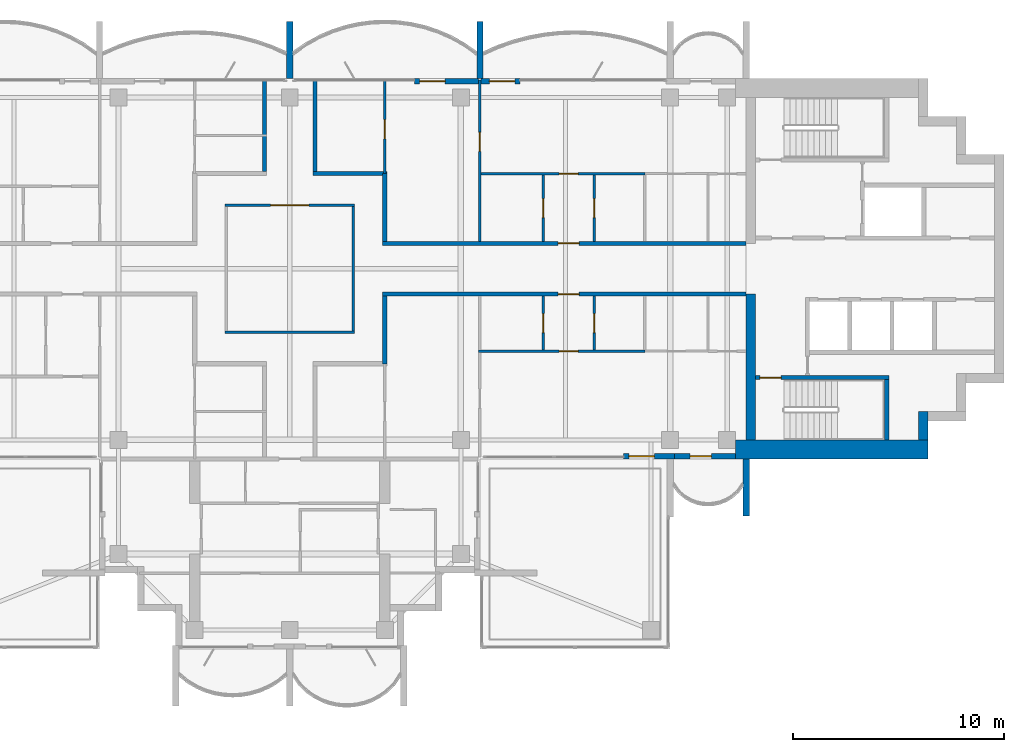
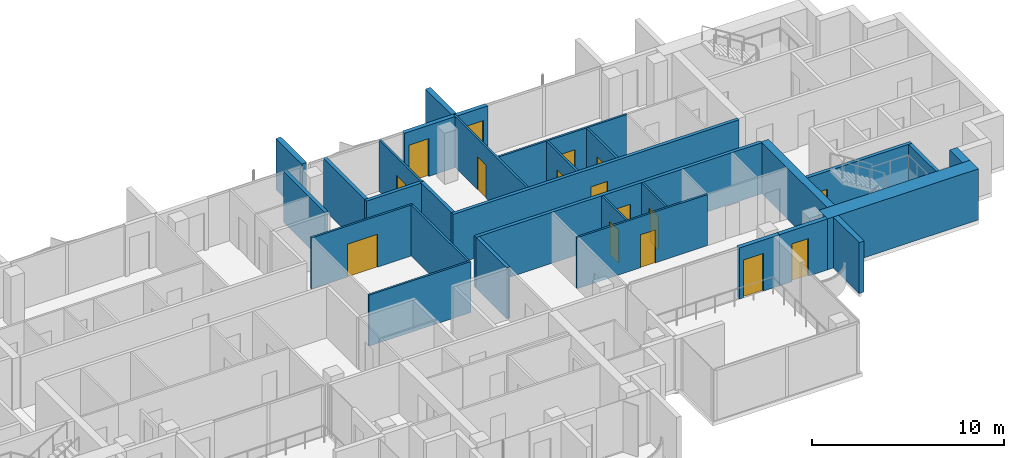
# One storey, part 10 of 16: 30 walls, 16 doors, 16 openings.
"""IFC4 building model written with IfcOpenShell, lengths in metres."""

from ifc_helpers import new_model, si_unit, direction, frame, frame_2d, origin, place, context, subcontext, project, spatial, rectangle, extrude, material, layer, layer_set, type_object, element, fill, save


model = new_model("IFC4")

# Units and contexts
model_context = context("Model", 3, precision=1e-05, world=origin(), true_north=direction((0.0, 1.0)))
body_context = subcontext(model_context, "Body", "Model", "MODEL_VIEW")
ifc_project = project(units=[si_unit("LENGTHUNIT", "METRE"), si_unit("AREAUNIT", "SQUARE_METRE"), si_unit("VOLUMEUNIT", "CUBIC_METRE"), si_unit("PLANEANGLEUNIT", "RADIAN"), si_unit("MASSUNIT", "GRAM", prefix="KILO")], contexts=[model_context])

# Site, building, storey
site_placement = place(None, origin())
site = spatial("IfcSite", under=ifc_project, at=site_placement, CompositionType="ELEMENT")
building_placement = place(site_placement, origin())
building = spatial("IfcBuilding", under=site, at=building_placement, Name="Perihelion Cross Residences", CompositionType="ELEMENT")
storey_placement = place(building_placement, frame((0.0, 0.0, 246.5)))
storey = spatial("IfcBuildingStorey", under=building, at=storey_placement, Name="L62", CompositionType="ELEMENT", Elevation=246.5)

# Wall, opening, door
ifc_material_1 = material(Name="Plasterboard partition")
ifc_layer_1 = layer(ifc_material_1, 0.199951171875)
ifc_layer_set_1 = layer_set([ifc_layer_1], Name="Apartment separation wall 200")
wall_type_1 = type_object("IfcWallType", Name="Apartment separation wall 200", PredefinedType="PARTITIONING", material=ifc_layer_set_1)
wall_1_placement = place(storey_placement, frame((4.39990234375, 1.199951171875, 0.0), z_axis=(0.0, 0.0, 1.0), x_axis=(1.0, 0.0, 0.0)))
wall_1 = element("IfcWall", 1, at=wall_1_placement, inside=storey, type_object=wall_type_1, Name="Partition L62 W005", PredefinedType="PARTITIONING", context=body_context, shape_type="SweptSolid", body=[
    extrude(rectangle(XDim=17.2001953125, YDim=0.199951171875, at=frame_2d((8.60009765625, 0.0))), origin(), (0.0, 0.0, 1.0), 3.25),
])
opening_1_placement = place(wall_1_placement, frame((8.300048828125, 0.0, 0.0)))
opening_1 = element("IfcOpeningElement", 2, at=opening_1_placement, cuts=wall_1, Name="Opening L62.A38", PredefinedType="OPENING", context=body_context, shape_type="SweptSolid", body=[
    extrude(rectangle(XDim=1.0, YDim=2.10009765625, at=frame_2d((0.5, 1.050048828125))), frame((0.0, 0.10986328125, 0.0), z_axis=(0.0, -1.0, 0.0), x_axis=(1.0, 0.0, 0.0)), (0.0, 0.0, 1.0), 0.219970703125),
])
ifc_material_2 = material(Name="Timber door leaf", Category="wood")
door_type_1 = type_object("IfcDoorType", Name="Flat entrance door 1000 x 2100", OperationType="SINGLE_SWING_LEFT", PredefinedType="DOOR", material=ifc_material_2)
door_1_placement = place(opening_1_placement, origin())
door_1 = element("IfcDoor", 3, at=door_1_placement, inside=storey, type_object=door_type_1, Name="Door L62.A38", OperationType="SINGLE_SWING_LEFT", OverallHeight=2.10009765625, OverallWidth=1.0, PredefinedType="DOOR", context=body_context, shape_type="SweptSolid", body=[
    extrude(rectangle(XDim=1.0, YDim=2.10009765625, at=frame_2d((0.5, 1.050048828125))), frame((0.0, 0.02490234375, 0.0), z_axis=(0.0, -1.0, 0.0), x_axis=(1.0, 0.0, 0.0)), (0.0, 0.0, 1.0), 0.050048828125),
])
fill(opening_1, door_1)

# Walls
wall_2_placement = place(storey_placement, frame((4.5, 4.5, 0.0), z_axis=(0.0, 0.0, 1.0), x_axis=(0.0, -1.0, 0.0)))
element("IfcWall", 4, at=wall_2_placement, inside=storey, type_object=wall_type_1, Name="Partition L62 W006", PredefinedType="PARTITIONING", context=body_context, shape_type="SweptSolid", body=[
    extrude(rectangle(XDim=3.199951171875, YDim=0.199951171875, at=frame_2d((1.60009765625, 0.0))), origin(), (0.0, 0.0, 1.0), 3.25),
])
wall_3_placement = place(storey_placement, frame((1.199951171875, 8.919921875, 0.0), z_axis=(0.0, 0.0, 1.0), x_axis=(0.0, -1.0, 0.0)))
element("IfcWall", 5, at=wall_3_placement, inside=storey, type_object=wall_type_1, Name="Partition L62 W007", PredefinedType="PARTITIONING", context=body_context, shape_type="SweptSolid", body=[
    extrude(rectangle(XDim=4.31982421875, YDim=0.199951171875, at=frame_2d((2.159912109375, 0.0))), origin(), (0.0, 0.0, 1.0), 3.25),
])
wall_4_placement = place(storey_placement, frame((1.10009765625, 4.5, 0.0), z_axis=(0.0, 0.0, 1.0), x_axis=(1.0, 0.0, 0.0)))
element("IfcWall", 6, at=wall_4_placement, inside=storey, type_object=wall_type_1, Name="Partition L62 W008", PredefinedType="PARTITIONING", context=body_context, shape_type="SweptSolid", body=[
    extrude(rectangle(XDim=3.5, YDim=0.199951171875, at=frame_2d((1.75, 0.0))), origin(), (0.0, 0.0, 1.0), 3.25),
])

# Wall, opening, door
wall_5_placement = place(storey_placement, frame((21.60009765625, -1.199951171875, 0.0), z_axis=(0.0, 0.0, 1.0), x_axis=(-1.0, 0.0, 0.0)))
wall_5 = element("IfcWall", 7, at=wall_5_placement, inside=storey, type_object=wall_type_1, Name="Partition L62 W009", PredefinedType="PARTITIONING", context=body_context, shape_type="SweptSolid", body=[
    extrude(rectangle(XDim=17.2001953125, YDim=0.199951171875, at=frame_2d((8.60009765625, 0.0))), origin(), (0.0, 0.0, 1.0), 3.25),
])
opening_2_placement = place(wall_5_placement, frame((7.89990234375, 0.0, 0.0)))
opening_2 = element("IfcOpeningElement", 8, at=opening_2_placement, cuts=wall_5, Name="Opening L62.A39", PredefinedType="OPENING", context=body_context, shape_type="SweptSolid", body=[
    extrude(rectangle(XDim=1.0, YDim=2.10009765625, at=frame_2d((0.5, 1.050048828125))), frame((0.0, 0.10986328125, 0.0), z_axis=(0.0, -1.0, 0.0), x_axis=(1.0, 0.0, 0.0)), (0.0, 0.0, 1.0), 0.219970703125),
])
door_2_placement = place(opening_2_placement, origin())
door_2 = element("IfcDoor", 9, at=door_2_placement, inside=storey, type_object=door_type_1, Name="Door L62.A39", OperationType="SINGLE_SWING_LEFT", OverallHeight=2.10009765625, OverallWidth=1.0, PredefinedType="DOOR", context=body_context, shape_type="SweptSolid", body=[
    extrude(rectangle(XDim=1.0, YDim=2.10009765625, at=frame_2d((0.5, 1.050048828125))), frame((0.0, 0.02490234375, 0.0), z_axis=(0.0, -1.0, 0.0), x_axis=(1.0, 0.0, 0.0)), (0.0, 0.0, 1.0), 0.050048828125),
])
fill(opening_2, door_2)

# Walls
wall_6_placement = place(storey_placement, frame((4.5, -1.300048828125, 0.0), z_axis=(0.0, 0.0, 1.0), x_axis=(0.0, -1.0, 0.0)))
element("IfcWall", 10, at=wall_6_placement, inside=storey, type_object=wall_type_1, Name="Partition L62 W010", PredefinedType="PARTITIONING", context=body_context, shape_type="SweptSolid", body=[
    extrude(rectangle(XDim=3.199951171875, YDim=0.199951171875, at=frame_2d((1.60009765625, 0.0))), origin(), (0.0, 0.0, 1.0), 3.25),
])
wall_7_placement = place(storey_placement, frame((-1.199951171875, 4.60009765625, 0.0), z_axis=(0.0, 0.0, 1.0), x_axis=(0.0, 1.0, 0.0)))
element("IfcWall", 11, at=wall_7_placement, inside=storey, type_object=wall_type_1, Name="Partition L62 W016", PredefinedType="PARTITIONING", context=body_context, shape_type="SweptSolid", body=[
    extrude(rectangle(XDim=4.31982421875, YDim=0.199951171875, at=frame_2d((2.159912109375, 0.0))), origin(), (0.0, 0.0, 1.0), 3.25),
])

# Wall, opening, door
ifc_material_3 = material(Name="Concrete C30/37, bronze-clad", Category="concrete")
ifc_layer_2 = layer(ifc_material_3, 0.25)
ifc_layer_set_2 = layer_set([ifc_layer_2], Name="Bronze-clad pier wall 250")
wall_type_2 = type_object("IfcWallType", Name="Bronze-clad pier wall 250", PredefinedType="SOLIDWALL", material=ifc_layer_set_2)
wall_8_placement = place(storey_placement, frame((10.89990234375, 8.875, 0.0), z_axis=(0.0, 0.0, 1.0), x_axis=(-1.0, 0.0, 0.0)))
wall_8 = element("IfcWall", 12, at=wall_8_placement, inside=storey, type_object=wall_type_2, Name="Wall FW1 L62 east side north bay 2 pier", PredefinedType="SOLIDWALL", context=body_context, shape_type="SweptSolid", body=[
    extrude(rectangle(XDim=1.83984375, YDim=0.25, at=frame_2d((0.919921875, 0.0))), origin(), (0.0, 0.0, 1.0), 3.25),
])
opening_3_placement = place(wall_8_placement, frame((0.25, 0.0, 0.0)))
opening_3 = element("IfcOpeningElement", 13, at=opening_3_placement, cuts=wall_8, Name="Opening L62.E02", PredefinedType="OPENING", context=body_context, shape_type="SweptSolid", body=[
    extrude(rectangle(XDim=1.199951171875, YDim=2.39990234375, at=frame_2d((0.60009765625, 1.199951171875))), frame((0.0, 0.135009765625, 0.0), z_axis=(0.0, -1.0, 0.0), x_axis=(1.0, 0.0, 0.0)), (0.0, 0.0, 1.0), 0.27001953125),
])
ifc_material_4 = material(Name="Bronze anodised aluminium, glazed", Category="aluminium")
door_type_2 = type_object("IfcDoorType", Name="Balcony door 1200 x 2400", OperationType="NOTDEFINED", PredefinedType="DOOR", material=ifc_material_4)
door_3_placement = place(opening_3_placement, origin())
door_3 = element("IfcDoor", 14, at=door_3_placement, inside=storey, type_object=door_type_2, Name="Door L62.E02 east side north bay 2", OperationType="SINGLE_SWING_RIGHT", OverallHeight=2.39990234375, OverallWidth=1.199951171875, PredefinedType="DOOR", context=body_context, shape_type="SweptSolid", body=[
    extrude(rectangle(XDim=1.199951171875, YDim=2.39990234375, at=frame_2d((0.60009765625, 1.199951171875))), frame((0.0, 0.02490234375, 0.0), z_axis=(0.0, -1.0, 0.0), x_axis=(1.0, 0.0, 0.0)), (0.0, 0.0, 1.0), 0.050048828125),
])
fill(opening_3, door_3)

wall_9_placement = place(storey_placement, frame((8.93994140625, 8.875, 0.0), z_axis=(0.0, 0.0, 1.0), x_axis=(-1.0, 0.0, 0.0)))
wall_9 = element("IfcWall", 15, at=wall_9_placement, inside=storey, type_object=wall_type_2, Name="Wall FW1 L62 north side east bay 1 pier", PredefinedType="SOLIDWALL", context=body_context, shape_type="SweptSolid", body=[
    extrude(rectangle(XDim=3.0400390625, YDim=0.25, at=frame_2d((1.52001953125, 0.0))), origin(), (0.0, 0.0, 1.0), 3.25),
])
opening_4_placement = place(wall_9_placement, frame((1.590087890625, 0.0, 0.0)))
opening_4 = element("IfcOpeningElement", 16, at=opening_4_placement, cuts=wall_9, Name="Opening L62.E03", PredefinedType="OPENING", context=body_context, shape_type="SweptSolid", body=[
    extrude(rectangle(XDim=1.199951171875, YDim=2.39990234375, at=frame_2d((0.60009765625, 1.199951171875))), frame((0.0, 0.135009765625, 0.0), z_axis=(0.0, -1.0, 0.0), x_axis=(1.0, 0.0, 0.0)), (0.0, 0.0, 1.0), 0.27001953125),
])
door_4_placement = place(opening_4_placement, origin())
door_4 = element("IfcDoor", 17, at=door_4_placement, inside=storey, type_object=door_type_2, Name="Door L62.E03 north side east bay 1", OperationType="SINGLE_SWING_LEFT", OverallHeight=2.39990234375, OverallWidth=1.199951171875, PredefinedType="DOOR", context=body_context, shape_type="SweptSolid", body=[
    extrude(rectangle(XDim=1.199951171875, YDim=2.39990234375, at=frame_2d((0.60009765625, 1.199951171875))), frame((0.0, 0.02490234375, 0.0), z_axis=(0.0, -1.0, 0.0), x_axis=(1.0, 0.0, 0.0)), (0.0, 0.0, 1.0), 0.050048828125),
])
fill(opening_4, door_4)

wall_10_placement = place(storey_placement, frame((15.800048828125, -8.875, 0.0), z_axis=(0.0, 0.0, 1.0), x_axis=(1.0, 0.0, 0.0)))
wall_10 = element("IfcWall", 18, at=wall_10_placement, inside=storey, type_object=wall_type_2, Name="Wall FW1 L62 east side south bay 1 pier", PredefinedType="SOLIDWALL", context=body_context, shape_type="SweptSolid", body=[
    extrude(rectangle(XDim=2.39990234375, YDim=0.25, at=frame_2d((1.199951171875, 0.0))), origin(), (0.0, 0.0, 1.0), 3.25),
])
opening_5_placement = place(wall_10_placement, frame((0.25, 0.0, 0.0)))
opening_5 = element("IfcOpeningElement", 19, at=opening_5_placement, cuts=wall_10, Name="Opening L62.E13", PredefinedType="OPENING", context=body_context, shape_type="SweptSolid", body=[
    extrude(rectangle(XDim=1.199951171875, YDim=2.39990234375, at=frame_2d((0.60009765625, 1.199951171875))), frame((0.0, 0.135009765625, 0.0), z_axis=(0.0, -1.0, 0.0), x_axis=(1.0, 0.0, 0.0)), (0.0, 0.0, 1.0), 0.27001953125),
])
door_5_placement = place(opening_5_placement, origin())
door_5 = element("IfcDoor", 20, at=door_5_placement, inside=storey, type_object=door_type_2, Name="Door L62.E13 east side south bay 1", OperationType="SINGLE_SWING_LEFT", OverallHeight=2.39990234375, OverallWidth=1.199951171875, PredefinedType="DOOR", context=body_context, shape_type="SweptSolid", body=[
    extrude(rectangle(XDim=1.199951171875, YDim=2.39990234375, at=frame_2d((0.60009765625, 1.199951171875))), frame((0.0, 0.02490234375, 0.0), z_axis=(0.0, -1.0, 0.0), x_axis=(1.0, 0.0, 0.0)), (0.0, 0.0, 1.0), 0.050048828125),
])
fill(opening_5, door_5)

wall_11_placement = place(storey_placement, frame((18.199951171875, -8.875, 0.0), z_axis=(0.0, 0.0, 1.0), x_axis=(1.0, 0.0, 0.0)))
wall_11 = element("IfcWall", 21, at=wall_11_placement, inside=storey, type_object=wall_type_2, Name="Wall FW1 L62 east side south bay 2 pier", PredefinedType="SOLIDWALL", context=body_context, shape_type="SweptSolid", body=[
    extrude(rectangle(XDim=2.900146484375, YDim=0.25, at=frame_2d((1.4501953125, 0.0))), origin(), (0.0, 0.0, 1.0), 3.25),
])
opening_6_placement = place(wall_11_placement, frame((0.75, 0.0, 0.0)))
opening_6 = element("IfcOpeningElement", 22, at=opening_6_placement, cuts=wall_11, Name="Opening L62.E14", PredefinedType="OPENING", context=body_context, shape_type="SweptSolid", body=[
    extrude(rectangle(XDim=1.0, YDim=2.39990234375, at=frame_2d((0.5, 1.199951171875))), frame((0.0, 0.135009765625, 0.0), z_axis=(0.0, -1.0, 0.0), x_axis=(1.0, 0.0, 0.0)), (0.0, 0.0, 1.0), 0.27001953125),
])
ifc_material_5 = material(Name="Bronze anodised aluminium, glazed", Category="aluminium")
door_type_3 = type_object("IfcDoorType", Name="Balcony door 1000 x 2400", OperationType="NOTDEFINED", PredefinedType="DOOR", material=ifc_material_5)
door_6_placement = place(opening_6_placement, origin())
door_6 = element("IfcDoor", 23, at=door_6_placement, inside=storey, type_object=door_type_3, Name="Door L62.E14 east side south bay 2", OperationType="SINGLE_SWING_RIGHT", OverallHeight=2.39990234375, OverallWidth=1.0, PredefinedType="DOOR", context=body_context, shape_type="SweptSolid", body=[
    extrude(rectangle(XDim=1.0, YDim=2.39990234375, at=frame_2d((0.5, 1.199951171875))), frame((0.0, 0.02490234375, 0.0), z_axis=(0.0, -1.0, 0.0), x_axis=(1.0, 0.0, 0.0)), (0.0, 0.0, 1.0), 0.050048828125),
])
fill(opening_6, door_6)

# Walls
ifc_material_6 = material(Name="Concrete C60/75", Category="concrete")
ifc_layer_3 = layer(ifc_material_6, 0.449951171875)
ifc_layer_set_3 = layer_set([ifc_layer_3], Name="Core wall, inner 450")
wall_type_3 = type_object("IfcWallType", Name="Core wall, inner 450", PredefinedType="SHEAR", material=ifc_layer_set_3)
wall_12_placement = place(storey_placement, frame((21.824951171875, -8.10009765625, 0.0), z_axis=(0.0, 0.0, 1.0), x_axis=(0.0, 1.0, 0.0)))
element("IfcWall", 24, at=wall_12_placement, inside=storey, type_object=wall_type_3, Name="East core core wall, inner", PredefinedType="SHEAR", context=body_context, shape_type="SweptSolid", body=[
    extrude(rectangle(XDim=6.900146484375, YDim=0.449951171875, at=frame_2d((3.4501953125, 0.0))), origin(), (0.0, 0.0, 1.0), 3.25),
])
ifc_material_7 = material(Name="Concrete C60/75", Category="concrete")
ifc_layer_4 = layer(ifc_material_7, 0.449951171875)
ifc_layer_set_4 = layer_set([ifc_layer_4], Name="Core wall, outer 450")
wall_type_4 = type_object("IfcWallType", Name="Core wall, outer 450", PredefinedType="SHEAR", material=ifc_layer_set_4)
wall_13_placement = place(storey_placement, frame((29.97509765625, -8.10009765625, 0.0), z_axis=(0.0, 0.0, 1.0), x_axis=(0.0, 1.0, 0.0)))
element("IfcWall", 25, at=wall_13_placement, inside=storey, type_object=wall_type_4, Name="East core core wall, outer", PredefinedType="SHEAR", context=body_context, shape_type="SweptSolid", body=[
    extrude(rectangle(XDim=1.35009765625, YDim=0.449951171875, at=frame_2d((0.675048828125, 0.0))), origin(), (0.0, 0.0, 1.0), 3.25),
])
ifc_material_8 = material(Name="Concrete C60/75", Category="concrete")
ifc_layer_5 = layer(ifc_material_8, 0.89990234375)
ifc_layer_set_5 = layer_set([ifc_layer_5], Name="Core wall, outer 900")
wall_type_5 = type_object("IfcWallType", Name="Core wall, outer 900", PredefinedType="SHEAR", material=ifc_layer_set_5)
wall_14_placement = place(storey_placement, frame((21.10009765625, -8.550048828125, 0.0), z_axis=(0.0, 0.0, 1.0), x_axis=(1.0, 0.0, 0.0)))
element("IfcWall", 26, at=wall_14_placement, inside=storey, type_object=wall_type_5, Name="East core core wall, outer", PredefinedType="SHEAR", context=body_context, shape_type="SweptSolid", body=[
    extrude(rectangle(XDim=9.099853515625, YDim=0.89990234375, at=frame_2d((4.5498046875, 0.0))), origin(), (0.0, 0.0, 1.0), 3.25),
])
ifc_material_9 = material(Name="Plasterboard partition")
ifc_layer_6 = layer(ifc_material_9, 0.1201171875)
ifc_layer_set_6 = layer_set([ifc_layer_6], Name="Partition wall 120")
wall_type_6 = type_object("IfcWallType", Name="Partition wall 120", PredefinedType="PARTITIONING", material=ifc_layer_set_6)
wall_15_placement = place(storey_placement, frame((-3.06005859375, -3.0, 0.0), z_axis=(0.0, 0.0, 1.0), x_axis=(1.0, 0.0, 0.0)))
element("IfcWall", 27, at=wall_15_placement, inside=storey, type_object=wall_type_6, Name="Partition L62 W001", PredefinedType="PARTITIONING", context=body_context, shape_type="SweptSolid", body=[
    extrude(rectangle(XDim=6.1201171875, YDim=0.1201171875, at=frame_2d((3.06005859375, 0.0))), origin(), (0.0, 0.0, 1.0), 3.25),
])
wall_16_placement = place(storey_placement, frame((3.0, -2.93994140625, 0.0), z_axis=(0.0, 0.0, 1.0), x_axis=(0.0, 1.0, 0.0)))
element("IfcWall", 28, at=wall_16_placement, inside=storey, type_object=wall_type_6, Name="Partition L62 W002", PredefinedType="PARTITIONING", context=body_context, shape_type="SweptSolid", body=[
    extrude(rectangle(XDim=5.8798828125, YDim=0.1201171875, at=frame_2d((2.93994140625, 0.0))), origin(), (0.0, 0.0, 1.0), 3.25),
])

# Wall, opening, door
wall_17_placement = place(storey_placement, frame((3.06005859375, 3.0, 0.0), z_axis=(0.0, 0.0, 1.0), x_axis=(-1.0, 0.0, 0.0)))
wall_17 = element("IfcWall", 29, at=wall_17_placement, inside=storey, type_object=wall_type_6, Name="Partition L62 W003", PredefinedType="PARTITIONING", context=body_context, shape_type="SweptSolid", body=[
    extrude(rectangle(XDim=6.1201171875, YDim=0.1201171875, at=frame_2d((3.06005859375, 0.0))), origin(), (0.0, 0.0, 1.0), 3.25),
])
opening_7_placement = place(wall_17_placement, frame((2.159912109375, 0.0, 0.0)))
opening_7 = element("IfcOpeningElement", 30, at=opening_7_placement, cuts=wall_17, Name="Opening L62.A01", PredefinedType="OPENING", context=body_context, shape_type="SweptSolid", body=[
    extrude(rectangle(XDim=1.800048828125, YDim=2.10009765625, at=frame_2d((0.89990234375, 1.050048828125))), frame((0.0, 0.070068359375, 0.0), z_axis=(0.0, -1.0, 0.0), x_axis=(1.0, 0.0, 0.0)), (0.0, 0.0, 1.0), 0.14013671875),
])
ifc_material_10 = material(Name="Glazed timber door leaf", Category="wood")
door_type_4 = type_object("IfcDoorType", Name="Interior double leaf door 1800 x 2100", OperationType="DOUBLE_DOOR_SINGLE_SWING", PredefinedType="DOOR", material=ifc_material_10)
door_7_placement = place(opening_7_placement, origin())
door_7 = element("IfcDoor", 31, at=door_7_placement, inside=storey, type_object=door_type_4, Name="Door L62.A01", OperationType="SINGLE_SWING_LEFT", OverallHeight=2.10009765625, OverallWidth=1.800048828125, PredefinedType="DOOR", context=body_context, shape_type="SweptSolid", body=[
    extrude(rectangle(XDim=1.800048828125, YDim=2.10009765625, at=frame_2d((0.89990234375, 1.050048828125))), frame((0.0, 0.02490234375, 0.0), z_axis=(0.0, -1.0, 0.0), x_axis=(1.0, 0.0, 0.0)), (0.0, 0.0, 1.0), 0.050048828125),
])
fill(opening_7, door_7)

wall_18_placement = place(storey_placement, frame((12.0, 4.43994140625, 0.0), z_axis=(0.0, 0.0, 1.0), x_axis=(0.0, -1.0, 0.0)))
wall_18 = element("IfcWall", 32, at=wall_18_placement, inside=storey, type_object=wall_type_6, Name="Partition L62 W022", PredefinedType="PARTITIONING", context=body_context, shape_type="SweptSolid", body=[
    extrude(rectangle(XDim=3.139892578125, YDim=0.1201171875, at=frame_2d((1.56982421875, 0.0))), origin(), (0.0, 0.0, 1.0), 3.25),
])
opening_8_placement = place(wall_18_placement, frame((1.1201171875, 0.0, 0.0)))
opening_8 = element("IfcOpeningElement", 33, at=opening_8_placement, cuts=wall_18, Name="Opening L62.A04", PredefinedType="OPENING", context=body_context, shape_type="SweptSolid", body=[
    extrude(rectangle(XDim=0.89990234375, YDim=2.10009765625, at=frame_2d((0.449951171875, 1.050048828125))), frame((0.0, 0.070068359375, 0.0), z_axis=(0.0, -1.0, 0.0), x_axis=(1.0, 0.0, 0.0)), (0.0, 0.0, 1.0), 0.14013671875),
])
ifc_material_11 = material(Name="Timber door leaf", Category="wood")
door_type_5 = type_object("IfcDoorType", Name="Interior room door 900 x 2100", OperationType="SINGLE_SWING_LEFT", PredefinedType="DOOR", material=ifc_material_11)
door_8_placement = place(opening_8_placement, origin())
door_8 = element("IfcDoor", 34, at=door_8_placement, inside=storey, type_object=door_type_5, Name="Door L62.A04", OperationType="SINGLE_SWING_RIGHT", OverallHeight=2.10009765625, OverallWidth=0.89990234375, PredefinedType="DOOR", context=body_context, shape_type="SweptSolid", body=[
    extrude(rectangle(XDim=0.89990234375, YDim=2.10009765625, at=frame_2d((0.449951171875, 1.050048828125))), frame((0.0, 0.02490234375, 0.0), z_axis=(0.0, -1.0, 0.0), x_axis=(1.0, 0.0, 0.0)), (0.0, 0.0, 1.0), 0.050048828125),
])
fill(opening_8, door_8)

wall_19_placement = place(storey_placement, frame((8.93994140625, 4.5, 0.0), z_axis=(0.0, 0.0, 1.0), x_axis=(1.0, 0.0, 0.0)))
wall_19 = element("IfcWall", 35, at=wall_19_placement, inside=storey, type_object=wall_type_6, Name="Partition L62 W023", PredefinedType="PARTITIONING", context=body_context, shape_type="SweptSolid", body=[
    extrude(rectangle(XDim=7.860107421875, YDim=0.1201171875, at=frame_2d((3.93017578125, 0.0))), origin(), (0.0, 0.0, 1.0), 3.25),
])
opening_9_placement = place(wall_19_placement, frame((3.81005859375, 0.0, 0.0)))
opening_9 = element("IfcOpeningElement", 36, at=opening_9_placement, cuts=wall_19, Name="Opening L62.A06", PredefinedType="OPENING", context=body_context, shape_type="SweptSolid", body=[
    extrude(rectangle(XDim=0.89990234375, YDim=2.10009765625, at=frame_2d((0.449951171875, 1.050048828125))), frame((0.0, 0.070068359375, 0.0), z_axis=(0.0, -1.0, 0.0), x_axis=(1.0, 0.0, 0.0)), (0.0, 0.0, 1.0), 0.14013671875),
])
door_9_placement = place(opening_9_placement, origin())
door_9 = element("IfcDoor", 37, at=door_9_placement, inside=storey, type_object=door_type_5, Name="Door L62.A06", OperationType="SINGLE_SWING_RIGHT", OverallHeight=2.10009765625, OverallWidth=0.89990234375, PredefinedType="DOOR", context=body_context, shape_type="SweptSolid", body=[
    extrude(rectangle(XDim=0.89990234375, YDim=2.10009765625, at=frame_2d((0.449951171875, 1.050048828125))), frame((0.0, 0.02490234375, 0.0), z_axis=(0.0, -1.0, 0.0), x_axis=(1.0, 0.0, 0.0)), (0.0, 0.0, 1.0), 0.050048828125),
])
fill(opening_9, door_9)

wall_20_placement = place(storey_placement, frame((9.0, 1.300048828125, 0.0), z_axis=(0.0, 0.0, 1.0), x_axis=(0.0, 1.0, 0.0)))
wall_20 = element("IfcWall", 38, at=wall_20_placement, inside=storey, type_object=wall_type_6, Name="Partition L62 W024", PredefinedType="PARTITIONING", context=body_context, shape_type="SweptSolid", body=[
    extrude(rectangle(XDim=7.619873046875, YDim=0.1201171875, at=frame_2d((3.81005859375, 0.0))), origin(), (0.0, 0.0, 1.0), 3.25),
])
opening_10_placement = place(wall_20_placement, frame((4.25, 0.0, 0.0)))
opening_10 = element("IfcOpeningElement", 39, at=opening_10_placement, cuts=wall_20, Name="Opening L62.A07", PredefinedType="OPENING", context=body_context, shape_type="SweptSolid", body=[
    extrude(rectangle(XDim=0.89990234375, YDim=2.10009765625, at=frame_2d((0.449951171875, 1.050048828125))), frame((0.0, 0.070068359375, 0.0), z_axis=(0.0, -1.0, 0.0), x_axis=(1.0, 0.0, 0.0)), (0.0, 0.0, 1.0), 0.14013671875),
])
door_10_placement = place(opening_10_placement, origin())
door_10 = element("IfcDoor", 40, at=door_10_placement, inside=storey, type_object=door_type_5, Name="Door L62.A07", OperationType="SINGLE_SWING_LEFT", OverallHeight=2.10009765625, OverallWidth=0.89990234375, PredefinedType="DOOR", context=body_context, shape_type="SweptSolid", body=[
    extrude(rectangle(XDim=0.89990234375, YDim=2.10009765625, at=frame_2d((0.449951171875, 1.050048828125))), frame((0.0, 0.02490234375, 0.0), z_axis=(0.0, -1.0, 0.0), x_axis=(1.0, 0.0, 0.0)), (0.0, 0.0, 1.0), 0.050048828125),
])
fill(opening_10, door_10)

wall_21_placement = place(storey_placement, frame((14.39990234375, 4.43994140625, 0.0), z_axis=(0.0, 0.0, 1.0), x_axis=(0.0, -1.0, 0.0)))
wall_21 = element("IfcWall", 41, at=wall_21_placement, inside=storey, type_object=wall_type_6, Name="Partition L62 W025", PredefinedType="PARTITIONING", context=body_context, shape_type="SweptSolid", body=[
    extrude(rectangle(XDim=3.139892578125, YDim=0.1201171875, at=frame_2d((1.56982421875, 0.0))), origin(), (0.0, 0.0, 1.0), 3.25),
])
opening_11_placement = place(wall_21_placement, frame((1.1201171875, 0.0, 0.0)))
opening_11 = element("IfcOpeningElement", 42, at=opening_11_placement, cuts=wall_21, Name="Opening L62.A08", PredefinedType="OPENING", context=body_context, shape_type="SweptSolid", body=[
    extrude(rectangle(XDim=0.89990234375, YDim=2.10009765625, at=frame_2d((0.449951171875, 1.050048828125))), frame((0.0, 0.070068359375, 0.0), z_axis=(0.0, -1.0, 0.0), x_axis=(1.0, 0.0, 0.0)), (0.0, 0.0, 1.0), 0.14013671875),
])
door_11_placement = place(opening_11_placement, origin())
door_11 = element("IfcDoor", 43, at=door_11_placement, inside=storey, type_object=door_type_5, Name="Door L62.A08", OperationType="SINGLE_SWING_LEFT", OverallHeight=2.10009765625, OverallWidth=0.89990234375, PredefinedType="DOOR", context=body_context, shape_type="SweptSolid", body=[
    extrude(rectangle(XDim=0.89990234375, YDim=2.10009765625, at=frame_2d((0.449951171875, 1.050048828125))), frame((0.0, 0.02490234375, 0.0), z_axis=(0.0, -1.0, 0.0), x_axis=(1.0, 0.0, 0.0)), (0.0, 0.0, 1.0), 0.050048828125),
])
fill(opening_11, door_11)

wall_22_placement = place(storey_placement, frame((4.5, 4.5, 0.0), z_axis=(0.0, 0.0, 1.0), x_axis=(0.0, 1.0, 0.0)))
wall_22 = element("IfcWall", 44, at=wall_22_placement, inside=storey, type_object=wall_type_6, Name="Partition L62 W030", PredefinedType="PARTITIONING", context=body_context, shape_type="SweptSolid", body=[
    extrude(rectangle(XDim=4.419921875, YDim=0.1201171875, at=frame_2d((2.2099609375, 0.0))), origin(), (0.0, 0.0, 1.0), 3.25),
])
opening_12_placement = place(wall_22_placement, frame((1.64990234375, 0.0, 0.0)))
opening_12 = element("IfcOpeningElement", 45, at=opening_12_placement, cuts=wall_22, Name="Opening L62.A03", PredefinedType="OPENING", context=body_context, shape_type="SweptSolid", body=[
    extrude(rectangle(XDim=0.89990234375, YDim=2.10009765625, at=frame_2d((0.449951171875, 1.050048828125))), frame((0.0, 0.070068359375, 0.0), z_axis=(0.0, -1.0, 0.0), x_axis=(1.0, 0.0, 0.0)), (0.0, 0.0, 1.0), 0.14013671875),
])
door_12_placement = place(opening_12_placement, origin())
door_12 = element("IfcDoor", 46, at=door_12_placement, inside=storey, type_object=door_type_5, Name="Door L62.A03", OperationType="SINGLE_SWING_LEFT", OverallHeight=2.10009765625, OverallWidth=0.89990234375, PredefinedType="DOOR", context=body_context, shape_type="SweptSolid", body=[
    extrude(rectangle(XDim=0.89990234375, YDim=2.10009765625, at=frame_2d((0.449951171875, 1.050048828125))), frame((0.0, 0.02490234375, 0.0), z_axis=(0.0, -1.0, 0.0), x_axis=(1.0, 0.0, 0.0)), (0.0, 0.0, 1.0), 0.050048828125),
])
fill(opening_12, door_12)

wall_23_placement = place(storey_placement, frame((12.0, -1.300048828125, 0.0), z_axis=(0.0, 0.0, 1.0), x_axis=(0.0, -1.0, 0.0)))
wall_23 = element("IfcWall", 47, at=wall_23_placement, inside=storey, type_object=wall_type_6, Name="Partition L62 W031", PredefinedType="PARTITIONING", context=body_context, shape_type="SweptSolid", body=[
    extrude(rectangle(XDim=2.5400390625, YDim=0.1201171875, at=frame_2d((1.27001953125, 0.0))), origin(), (0.0, 0.0, 1.0), 3.25),
])
opening_13_placement = place(wall_23_placement, frame((0.820068359375, 0.0, 0.0)))
opening_13 = element("IfcOpeningElement", 48, at=opening_13_placement, cuts=wall_23, Name="Opening L62.A11", PredefinedType="OPENING", context=body_context, shape_type="SweptSolid", body=[
    extrude(rectangle(XDim=0.89990234375, YDim=2.10009765625, at=frame_2d((0.449951171875, 1.050048828125))), frame((0.0, 0.070068359375, 0.0), z_axis=(0.0, -1.0, 0.0), x_axis=(1.0, 0.0, 0.0)), (0.0, 0.0, 1.0), 0.14013671875),
])
door_13_placement = place(opening_13_placement, origin())
door_13 = element("IfcDoor", 49, at=door_13_placement, inside=storey, type_object=door_type_5, Name="Door L62.A11", OperationType="SINGLE_SWING_RIGHT", OverallHeight=2.10009765625, OverallWidth=0.89990234375, PredefinedType="DOOR", context=body_context, shape_type="SweptSolid", body=[
    extrude(rectangle(XDim=0.89990234375, YDim=2.10009765625, at=frame_2d((0.449951171875, 1.050048828125))), frame((0.0, 0.02490234375, 0.0), z_axis=(0.0, -1.0, 0.0), x_axis=(1.0, 0.0, 0.0)), (0.0, 0.0, 1.0), 0.050048828125),
])
fill(opening_13, door_13)

wall_24_placement = place(storey_placement, frame((16.800048828125, -3.89990234375, 0.0), z_axis=(0.0, 0.0, 1.0), x_axis=(-1.0, 0.0, 0.0)))
wall_24 = element("IfcWall", 50, at=wall_24_placement, inside=storey, type_object=wall_type_6, Name="Partition L62 W032", PredefinedType="PARTITIONING", context=body_context, shape_type="SweptSolid", body=[
    extrude(rectangle(XDim=7.860107421875, YDim=0.1201171875, at=frame_2d((3.93017578125, 0.0))), origin(), (0.0, 0.0, 1.0), 3.25),
])
opening_14_placement = place(wall_24_placement, frame((3.14990234375, 0.0, 0.0)))
opening_14 = element("IfcOpeningElement", 51, at=opening_14_placement, cuts=wall_24, Name="Opening L62.A13", PredefinedType="OPENING", context=body_context, shape_type="SweptSolid", body=[
    extrude(rectangle(XDim=0.89990234375, YDim=2.10009765625, at=frame_2d((0.449951171875, 1.050048828125))), frame((0.0, 0.070068359375, 0.0), z_axis=(0.0, -1.0, 0.0), x_axis=(1.0, 0.0, 0.0)), (0.0, 0.0, 1.0), 0.14013671875),
])
door_14_placement = place(opening_14_placement, origin())
door_14 = element("IfcDoor", 52, at=door_14_placement, inside=storey, type_object=door_type_5, Name="Door L62.A13", OperationType="SINGLE_SWING_RIGHT", OverallHeight=2.10009765625, OverallWidth=0.89990234375, PredefinedType="DOOR", context=body_context, shape_type="SweptSolid", body=[
    extrude(rectangle(XDim=0.89990234375, YDim=2.10009765625, at=frame_2d((0.449951171875, 1.050048828125))), frame((0.0, 0.02490234375, 0.0), z_axis=(0.0, -1.0, 0.0), x_axis=(1.0, 0.0, 0.0)), (0.0, 0.0, 1.0), 0.050048828125),
])
fill(opening_14, door_14)

wall_25_placement = place(storey_placement, frame((14.39990234375, -1.300048828125, 0.0), z_axis=(0.0, 0.0, 1.0), x_axis=(0.0, -1.0, 0.0)))
wall_25 = element("IfcWall", 53, at=wall_25_placement, inside=storey, type_object=wall_type_6, Name="Partition L62 W034", PredefinedType="PARTITIONING", context=body_context, shape_type="SweptSolid", body=[
    extrude(rectangle(XDim=2.5400390625, YDim=0.1201171875, at=frame_2d((1.27001953125, 0.0))), origin(), (0.0, 0.0, 1.0), 3.25),
])
opening_15_placement = place(wall_25_placement, frame((0.820068359375, 0.0, 0.0)))
opening_15 = element("IfcOpeningElement", 54, at=opening_15_placement, cuts=wall_25, Name="Opening L62.A15", PredefinedType="OPENING", context=body_context, shape_type="SweptSolid", body=[
    extrude(rectangle(XDim=0.89990234375, YDim=2.10009765625, at=frame_2d((0.449951171875, 1.050048828125))), frame((0.0, 0.070068359375, 0.0), z_axis=(0.0, -1.0, 0.0), x_axis=(1.0, 0.0, 0.0)), (0.0, 0.0, 1.0), 0.14013671875),
])
door_15_placement = place(opening_15_placement, origin())
door_15 = element("IfcDoor", 55, at=door_15_placement, inside=storey, type_object=door_type_5, Name="Door L62.A15", OperationType="SINGLE_SWING_LEFT", OverallHeight=2.10009765625, OverallWidth=0.89990234375, PredefinedType="DOOR", context=body_context, shape_type="SweptSolid", body=[
    extrude(rectangle(XDim=0.89990234375, YDim=2.10009765625, at=frame_2d((0.449951171875, 1.050048828125))), frame((0.0, 0.02490234375, 0.0), z_axis=(0.0, -1.0, 0.0), x_axis=(1.0, 0.0, 0.0)), (0.0, 0.0, 1.0), 0.050048828125),
])
fill(opening_15, door_15)

# Walls
ifc_material_12 = material(Name="Precast concrete C50/60", Category="concrete")
ifc_layer_7 = layer(ifc_material_12, 0.300048828125)
ifc_layer_set_7 = layer_set([ifc_layer_7], Name="Precast concrete C50/60 blade wall 300")
wall_type_7 = type_object("IfcWallType", Name="Precast concrete C50/60 blade wall 300", PredefinedType="SOLIDWALL", material=ifc_layer_set_7)
for number, where, z_axis, x_axis, name in (
    (56, (0.0, 9.0, 0.0), (0.0, 0.0, 1.0), (0.0, 1.0, 0.0), "Wall BL1 L62 no. 9"),
    (57, (9.0, 9.0, 0.0), (0.0, 0.0, 1.0), (0.0, 1.0, 0.0), "Wall BL1 L62 no. 16"),
    (58, (21.60009765625, -9.0, 0.0), (0.0, 0.0, 1.0), (0.0, -1.0, 0.0), "Wall BL1 L62 no. 12"),
):
    element("IfcWall", number, at=place(storey_placement, frame(where, z_axis=z_axis, x_axis=x_axis)), inside=storey, type_object=wall_type_7, Name=name, PredefinedType="SOLIDWALL", context=body_context, shape_type="SweptSolid", body=[
        extrude(rectangle(XDim=2.699951171875, YDim=0.300048828125, at=frame_2d((1.35009765625, 0.0))), origin(), (0.0, 0.0, 1.0), 3.25),
    ])

# Wall, opening, door
ifc_material_13 = material(Name="Concrete C50/60", Category="concrete")
ifc_layer_8 = layer(ifc_material_13, 0.199951171875)
ifc_layer_set_8 = layer_set([ifc_layer_8], Name="Stair wall 200")
wall_type_8 = type_object("IfcWallType", Name="Stair wall 200", PredefinedType="SOLIDWALL", material=ifc_layer_set_8)
wall_26_placement = place(storey_placement, frame((22.050048828125, -5.14990234375, 0.0), z_axis=(0.0, 0.0, 1.0), x_axis=(1.0, 0.0, 0.0)))
wall_26 = element("IfcWall", 59, at=wall_26_placement, inside=storey, type_object=wall_type_8, Name="East core stair wall", PredefinedType="SOLIDWALL", context=body_context, shape_type="SweptSolid", body=[
    extrude(rectangle(XDim=6.300048828125, YDim=0.199951171875, at=frame_2d((3.14990234375, 0.0))), origin(), (0.0, 0.0, 1.0), 3.25),
])
opening_16_placement = place(wall_26_placement, frame((0.199951171875, 0.0, 0.0)))
opening_16 = element("IfcOpeningElement", 60, at=opening_16_placement, cuts=wall_26, Name="Opening L62.C05", PredefinedType="OPENING", context=body_context, shape_type="SweptSolid", body=[
    extrude(rectangle(XDim=1.0, YDim=2.10009765625, at=frame_2d((0.5, 1.050048828125))), frame((0.0, 0.10986328125, 0.0), z_axis=(0.0, -1.0, 0.0), x_axis=(1.0, 0.0, 0.0)), (0.0, 0.0, 1.0), 0.219970703125),
])
ifc_material_14 = material(Name="Steel, powder coated", Category="steel")
door_type_6 = type_object("IfcDoorType", Name="Stair door 1000", OperationType="SINGLE_SWING_LEFT", PredefinedType="DOOR", material=ifc_material_14)
door_16_placement = place(opening_16_placement, origin())
door_16 = element("IfcDoor", 61, at=door_16_placement, inside=storey, type_object=door_type_6, Name="East core stair door", OperationType="SINGLE_SWING_LEFT", OverallHeight=2.10009765625, OverallWidth=1.0, PredefinedType="DOOR", context=body_context, shape_type="SweptSolid", body=[
    extrude(rectangle(XDim=1.0, YDim=2.10009765625, at=frame_2d((0.5, 1.050048828125))), frame((0.0, 0.02490234375, 0.0), z_axis=(0.0, -1.0, 0.0), x_axis=(1.0, 0.0, 0.0)), (0.0, 0.0, 1.0), 0.050048828125),
])
fill(opening_16, door_16)

# Wall
wall_27_placement = place(storey_placement, frame((28.25, -8.10009765625, 0.0), z_axis=(0.0, 0.0, 1.0), x_axis=(0.0, 1.0, 0.0)))
element("IfcWall", 62, at=wall_27_placement, inside=storey, type_object=wall_type_8, Name="East core stair wall", PredefinedType="SOLIDWALL", context=body_context, shape_type="SweptSolid", body=[
    extrude(rectangle(XDim=2.85009765625, YDim=0.199951171875, at=frame_2d((1.425048828125, 0.0))), origin(), (0.0, 0.0, 1.0), 3.25),
])

save(model, "model.ifc")
